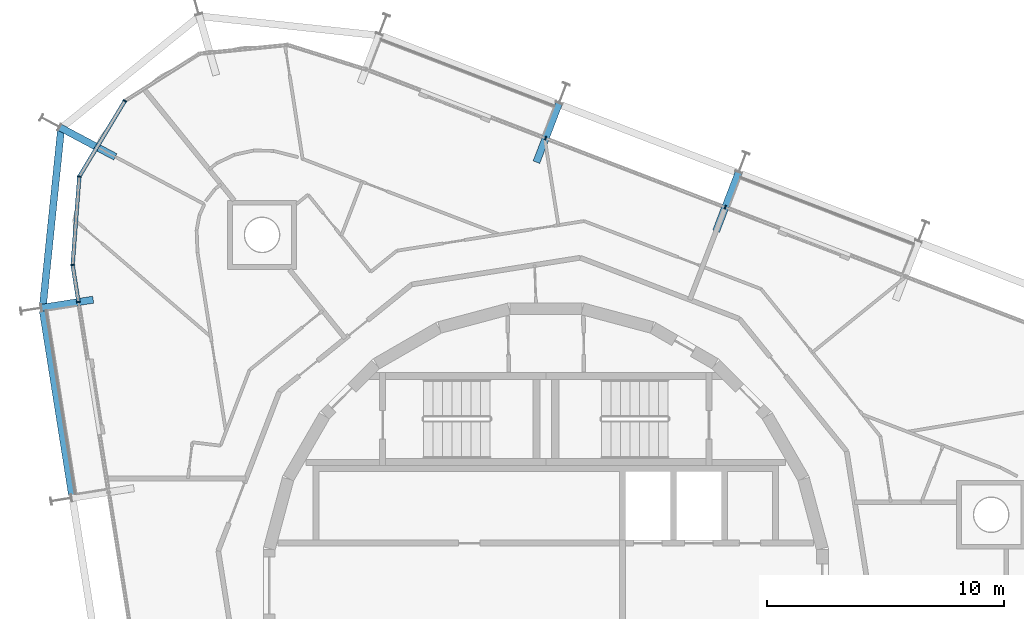
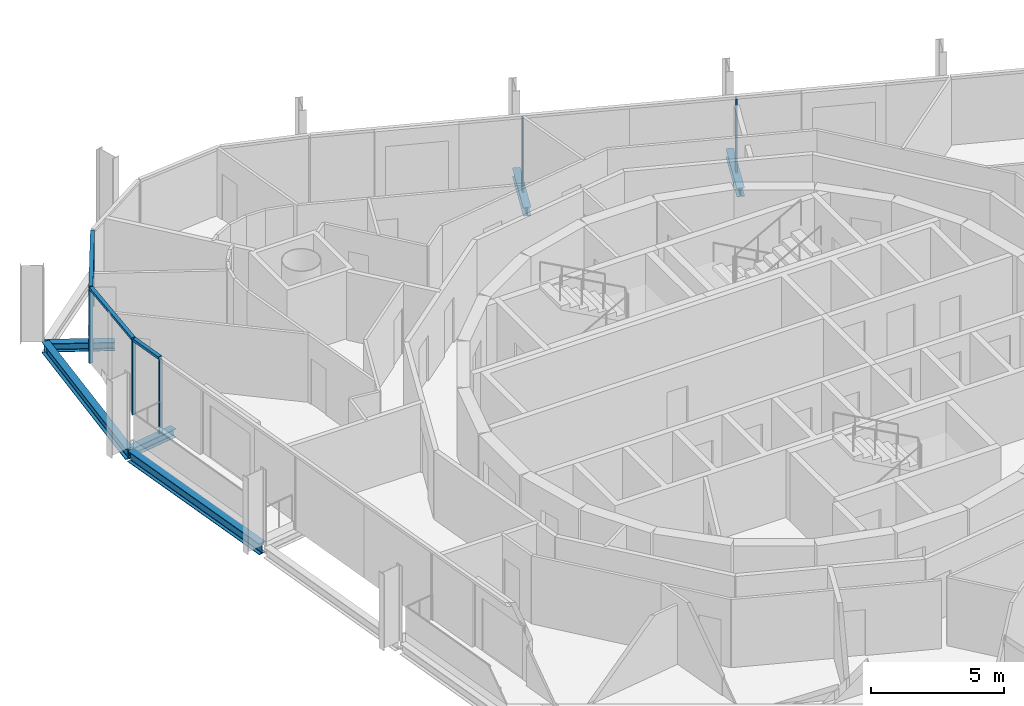
# One storey, part 6 of 17: 9 members, 6 beams, 3 elements without a shape of their own.
"""IFC4 building model written with IfcOpenShell, lengths in metres."""

from ifc_helpers import new_model, si_unit, direction, frame, origin, origin_2d, place, context, subcontext, project, spatial, rectangle, i_section, extrude, material, layer, layer_set, material_profile, profile_set, type_object, element, aggregate, save


model = new_model("IFC4")

# Units and contexts
model_context = context("Model", 3, precision=1e-05, world=origin(), true_north=direction((0.0, 1.0)))
body_context = subcontext(model_context, "Body", "Model", "MODEL_VIEW")
ifc_project = project(units=[si_unit("LENGTHUNIT", "METRE"), si_unit("AREAUNIT", "SQUARE_METRE"), si_unit("VOLUMEUNIT", "CUBIC_METRE"), si_unit("PLANEANGLEUNIT", "RADIAN"), si_unit("MASSUNIT", "GRAM", prefix="KILO")], contexts=[model_context])

# Site, building, storey
site_placement = place(None, origin())
site = spatial("IfcSite", under=ifc_project, at=site_placement, CompositionType="ELEMENT")
building_placement = place(site_placement, origin())
building = spatial("IfcBuilding", under=site, at=building_placement, Name="Spindle Arch Residences", CompositionType="ELEMENT")
storey_placement = place(building_placement, frame((0.0, 0.0, 266.89990234375)))
storey = spatial("IfcBuildingStorey", under=building, at=storey_placement, Name="L68", CompositionType="ELEMENT", Elevation=266.89990234375)

# Curtain wall, members
ifc_material_1 = material(Name="Aluminium bronze unitised frame with tinted glass", Category="aluminium")
ifc_layer_1 = layer(ifc_material_1, 0.159912109375)
ifc_layer_set_1 = layer_set([ifc_layer_1], Name="CW-C typical residential unitised wall")
curtain_wall_type_1 = type_object("IfcCurtainWallType", Name="CW-C typical residential unitised wall", PredefinedType="NOTDEFINED", material=ifc_layer_set_1)
curtain_wall_1_placement = place(storey_placement, origin())
curtain_wall_1 = element("IfcCurtainWall", 1, at=curtain_wall_1_placement, inside=storey, type_object=curtain_wall_type_1, Name="CW-C L68 run 2", PredefinedType="NOTDEFINED")
ifc_material_2 = material(Name="Aluminium bronze anodised mullion", Category="aluminium")
ifc_material_profile_1 = material_profile(ifc_material_2, rectangle(XDim=0.159912109375, YDim=0.06005859375, at=origin_2d()), Name="MU 60x160")
ifc_profile_set_1 = profile_set([ifc_material_profile_1], Name="Aluminium bronze anodised mullion")
member_type_1 = type_object("IfcMemberType", Name="Bronze mullion 60x160", PredefinedType="MULLION", material=ifc_profile_set_1)
member_1_placement = place(storey_placement, frame((7.560302734375, 15.9248046875, -0.3798828125), z_axis=(0.0, 0.0, 1.0), x_axis=(-0.358367949545, -0.933580426497, 0.0)))
member_1 = element("IfcMember", 2, at=member_1_placement, type_object=member_type_1, Name="CW-C mullion 06", PredefinedType="MULLION", context=body_context, shape_type="SweptSolid", body=[
    extrude(rectangle(XDim=0.159912109375, YDim=0.06005859375, at=origin_2d()), origin(), (0.0, 0.0, 1.0), 3.3798828125),
])
member_2_placement = place(storey_placement, frame((-0.0087890625, 18.830322265625, -0.3798828125), z_axis=(0.0, 0.0, 1.0), x_axis=(-0.358367949545, -0.933580426497, 0.0)))
member_2 = element("IfcMember", 3, at=member_2_placement, type_object=member_type_1, Name="CW-C mullion 07", PredefinedType="MULLION", context=body_context, shape_type="SweptSolid", body=[
    extrude(rectangle(XDim=0.159912109375, YDim=0.06005859375, at=origin_2d()), origin(), (0.0, 0.0, 1.0), 3.3798828125),
])
aggregate(curtain_wall_1, [member_1, member_2])

ifc_material_3 = material(Name="Aluminium bronze unitised frame with tinted glass", Category="aluminium")
ifc_layer_2 = layer(ifc_material_3, 0.159912109375)
ifc_layer_set_2 = layer_set([ifc_layer_2], Name="CW-D corner wall on the fillet arcs")
curtain_wall_type_2 = type_object("IfcCurtainWallType", Name="CW-D corner wall on the fillet arcs", PredefinedType="NOTDEFINED", material=ifc_layer_set_2)
curtain_wall_2_placement = place(storey_placement, origin())
curtain_wall_2 = element("IfcCurtainWall", 4, at=curtain_wall_2_placement, inside=storey, type_object=curtain_wall_type_2, Name="CW-D L68 run 3", PredefinedType="NOTDEFINED")
member_3_placement = place(storey_placement, frame((-17.732421875, 20.406982421875, -0.3798828125), z_axis=(0.0, 0.0, 1.0), x_axis=(0.857167301925, -0.515038072875, 0.0)))
member_3 = element("IfcMember", 5, at=member_3_placement, type_object=member_type_1, Name="CW-D mullion 03", PredefinedType="MULLION", context=body_context, shape_type="SweptSolid", body=[
    extrude(rectangle(XDim=0.159912109375, YDim=0.06005859375, at=origin_2d()), origin(), (0.0, 0.0, 1.0), 3.3798828125),
])
member_4_placement = place(storey_placement, frame((-19.65185546875, 17.212646484375, -0.3798828125), z_axis=(0.0, 0.0, 1.0), x_axis=(0.997141344139, -0.07555884997, 0.0)))
member_4 = element("IfcMember", 6, at=member_4_placement, type_object=member_type_1, Name="CW-D mullion 04", PredefinedType="MULLION", context=body_context, shape_type="SweptSolid", body=[
    extrude(rectangle(XDim=0.159912109375, YDim=0.06005859375, at=origin_2d()), origin(), (0.0, 0.0, 1.0), 3.3798828125),
])
member_5_placement = place(storey_placement, frame((-19.933349609375, 13.49658203125, -0.3798828125), z_axis=(0.0, 0.0, 1.0), x_axis=(0.987688340595, 0.15643446504, 0.0)))
member_5 = element("IfcMember", 7, at=member_5_placement, type_object=member_type_1, Name="CW-D mullion 05", PredefinedType="MULLION", context=body_context, shape_type="SweptSolid", body=[
    extrude(rectangle(XDim=0.159912109375, YDim=0.06005859375, at=origin_2d()), origin(), (0.0, 0.0, 1.0), 3.3798828125),
])

# Curtain wall, member
curtain_wall_3_placement = place(storey_placement, origin())
curtain_wall_3 = element("IfcCurtainWall", 8, at=curtain_wall_3_placement, inside=storey, type_object=curtain_wall_type_1, Name="CW-C L68 run 4", PredefinedType="NOTDEFINED")
member_6_placement = place(storey_placement, frame((-19.685546875, 11.931396484375, -0.3798828125), z_axis=(0.0, 0.0, 1.0), x_axis=(0.987688340595, 0.15643446504, 0.0)))
member_6 = element("IfcMember", 9, at=member_6_placement, type_object=member_type_1, Name="CW-C mullion 11", PredefinedType="MULLION", context=body_context, shape_type="SweptSolid", body=[
    extrude(rectangle(XDim=0.159912109375, YDim=0.06005859375, at=origin_2d()), origin(), (0.0, 0.0, 1.0), 3.3798828125),
])
aggregate(curtain_wall_3, [member_6])

# Member
ifc_material_4 = material(Name="Aluminium bronze anodised transom", Category="aluminium")
ifc_material_profile_2 = material_profile(ifc_material_4, rectangle(XDim=0.159912109375, YDim=0.1201171875, at=origin_2d()), Name="TR 120x160")
ifc_profile_set_2 = profile_set([ifc_material_profile_2], Name="Aluminium bronze anodised transom")
member_type_2 = type_object("IfcMemberType", Name="Bronze transom 120x160", PredefinedType="USERDEFINED", material=ifc_profile_set_2)
member_7_placement = place(storey_placement, frame((-17.747802734375, 20.38134765625, 3.06005859375), z_axis=(-0.515014612012, -0.857181398196, 0.0), x_axis=(0.857181398196, -0.515014612012, 0.0)))
member_7 = element("IfcMember", 10, at=member_7_placement, type_object=member_type_2, Name="CW-D transom 03", ObjectType="TRANSOM", PredefinedType="USERDEFINED", context=body_context, shape_type="SweptSolid", body=[
    extrude(rectangle(XDim=0.159912109375, YDim=0.1201171875, at=origin_2d()), origin(), (0.0, 0.0, 1.0), 3.666748046875),
])

member_8_placement = place(storey_placement, frame((-19.654052734375, 17.1826171875, 3.06005859375), z_axis=(-0.07557120479, -0.99714040787, 0.0), x_axis=(0.99714040787, -0.07557120479, 0.0)))
member_8 = element("IfcMember", 11, at=member_8_placement, type_object=member_type_2, Name="CW-D transom 04", ObjectType="TRANSOM", PredefinedType="USERDEFINED", context=body_context, shape_type="SweptSolid", body=[
    extrude(rectangle(XDim=0.159912109375, YDim=0.1201171875, at=origin_2d()), origin(), (0.0, 0.0, 1.0), 3.666748046875),
])

member_9_placement = place(storey_placement, frame((-19.9287109375, 13.466796875, 3.06005859375), z_axis=(0.156447707445, -0.987686243113, 0.0), x_axis=(0.987686243113, 0.156447707445, 0.0)))
member_9 = element("IfcMember", 12, at=member_9_placement, type_object=member_type_2, Name="CW-D transom 05", ObjectType="TRANSOM", PredefinedType="USERDEFINED", context=body_context, shape_type="SweptSolid", body=[
    extrude(rectangle(XDim=0.159912109375, YDim=0.1201171875, at=origin_2d()), origin(), (0.0, 0.0, 1.0), 1.524658203125),
])

aggregate(curtain_wall_2, [member_3, member_7, member_4, member_8, member_5, member_9])

# Beams
ifc_material_5 = material(Name="Steel S460ML, intumescent coating R 120", Category="steel")
ifc_material_profile_3 = material_profile(ifc_material_5, i_section(OverallWidth=0.300048828125, OverallDepth=0.5, WebThickness=0.014404296875, FlangeThickness=0.028076171875, FilletRadius=0.027099609375, at=origin_2d()), Name="HEB 500")
ifc_profile_set_3 = profile_set([ifc_material_profile_3], Name="Steel S460ML, intumescent coating R 120")
beam_type_1 = type_object("IfcBeamType", Name="Exoskeleton edge beam HEB 500", PredefinedType="BEAM", material=ifc_profile_set_3)
beam_1_placement = place(storey_placement, frame((-20.41015625, 19.294189453125, -0.6298828125), z_axis=(-0.102188803119, -0.99476502176, 0.0), x_axis=(0.99476502176, -0.102188803119, 0.0)))
element("IfcBeam", 13, at=beam_1_placement, inside=storey, type_object=beam_type_1, Name="Exoskeleton edge beam 11", PredefinedType="BEAM", context=body_context, shape_type="SweptSolid", body=[
    extrude(i_section(OverallWidth=0.300048828125, OverallDepth=0.5, WebThickness=0.014404296875, FlangeThickness=0.028076171875, FilletRadius=0.027099609375, at=origin_2d()), origin(), (0.0, 0.0, 1.0), 7.6689453125),
])
beam_2_placement = place(storey_placement, frame((-21.186279296875, 11.56201171875, -0.6298828125), z_axis=(0.156453001738, -0.987685404492, 0.0), x_axis=(0.987685404492, 0.156453001738, 0.0)))
element("IfcBeam", 14, at=beam_2_placement, inside=storey, type_object=beam_type_1, Name="Exoskeleton edge beam 12", PredefinedType="BEAM", context=body_context, shape_type="SweptSolid", body=[
    extrude(i_section(OverallWidth=0.300048828125, OverallDepth=0.5, WebThickness=0.014404296875, FlangeThickness=0.028076171875, FilletRadius=0.027099609375, at=origin_2d()), origin(), (0.0, 0.0, 1.0), 7.84765625),
])
ifc_material_6 = material(Name="Steel S460ML, intumescent coating R 120", Category="steel")
ifc_material_profile_4 = material_profile(ifc_material_6, i_section(OverallWidth=0.300048828125, OverallDepth=0.389892578125, WebThickness=0.010986328125, FlangeThickness=0.01904296875, FilletRadius=0.027099609375, at=origin_2d()), Name="HEA 400")
ifc_profile_set_4 = profile_set([ifc_material_profile_4], Name="Steel S460ML, intumescent coating R 120")
beam_type_2 = type_object("IfcBeamType", Name="Floor outrigger HEA 400", PredefinedType="BEAM", material=ifc_profile_set_4)
for number, where, z_axis, x_axis, name in (
    (15, (8.123046875, 17.390625, -0.574951171875), (-0.358392499624, -0.933571002234, 0.0), (0.933571002234, -0.358392499624, 0.0), "Floor outrigger 7"),
    (16, (0.553955078125, 20.296142578125, -0.574951171875), (-0.358392499624, -0.933571002234, 0.0), (0.933571002234, -0.358392499624, 0.0), "Floor outrigger 8"),
    (17, (-20.472900390625, 19.29150390625, -0.574951171875), (0.882885392442, -0.469588526065, 0.0), (0.469588526065, 0.882885392442, 0.0), "Floor outrigger 11"),
):
    element("IfcBeam", number, at=place(storey_placement, frame(where, z_axis=z_axis, x_axis=x_axis)), inside=storey, type_object=beam_type_2, Name=name, PredefinedType="BEAM", context=body_context, shape_type="SweptSolid", body=[
        extrude(i_section(OverallWidth=0.300048828125, OverallDepth=0.389892578125, WebThickness=0.010986328125, FlangeThickness=0.01904296875, FilletRadius=0.027099609375, at=origin_2d()), origin(), (0.0, 0.0, 1.0), 2.64990234375),
    ])
beam_3_placement = place(storey_placement, frame((-21.236083984375, 11.685791015625, -0.574951171875), z_axis=(0.987697139372, 0.156378901635, 0.0), x_axis=(-0.156378901635, 0.987697139372, 0.0)))
element("IfcBeam", 18, at=beam_3_placement, inside=storey, type_object=beam_type_2, Name="Floor outrigger 12", PredefinedType="BEAM", context=body_context, shape_type="SweptSolid", body=[
    extrude(i_section(OverallWidth=0.300048828125, OverallDepth=0.389892578125, WebThickness=0.010986328125, FlangeThickness=0.01904296875, FilletRadius=0.027099609375, at=origin_2d()), origin(), (0.0, 0.0, 1.0), 2.1982421875),
])

save(model, "model.ifc")
